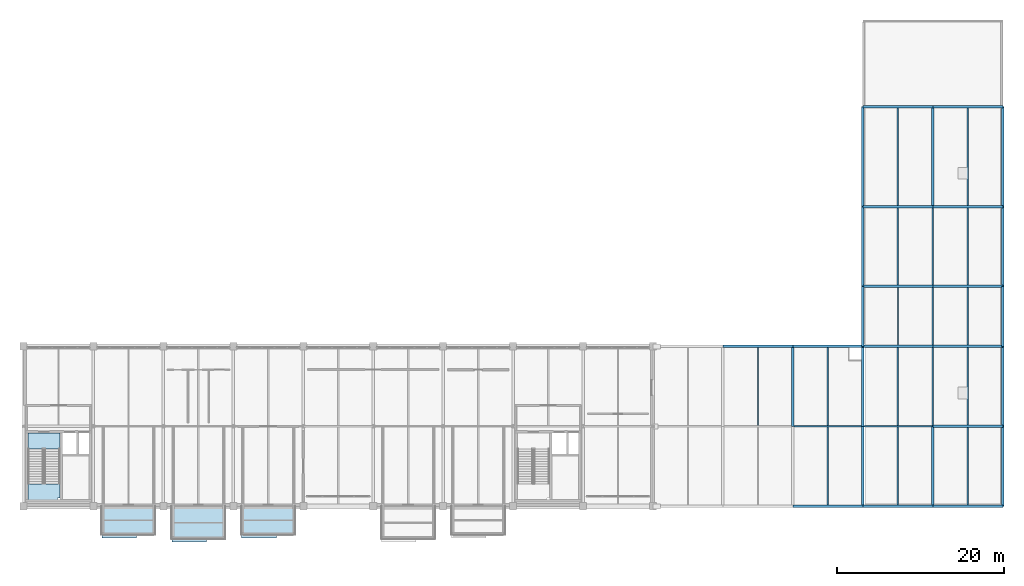
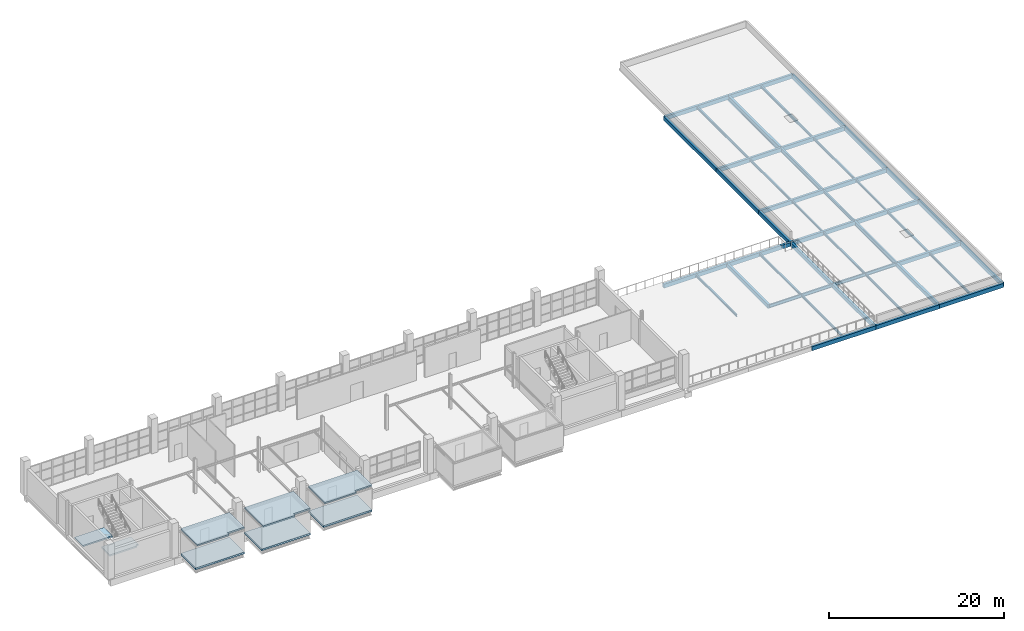
# One storey, part 20 of 29: 45 beams, 8 slabs, 1 element without a shape of its own.
"""IFC4 building model written with IfcOpenShell, lengths in metres."""

from ifc_helpers import new_model, si_unit, direction, frame, origin, origin_2d, place, context, subcontext, project, spatial, polyline, rectangle, i_section, outline, extrude, material, layer, layer_set, material_profile, profile_set, type_object, element, aggregate, save


model = new_model("IFC4")

# Units and contexts
model_context = context("Model", 3, precision=1e-05, world=origin(), true_north=direction((0.0, 1.0)))
body_context = subcontext(model_context, "Body", "Model", "MODEL_VIEW")
ifc_project = project(units=[si_unit("LENGTHUNIT", "METRE"), si_unit("AREAUNIT", "SQUARE_METRE"), si_unit("VOLUMEUNIT", "CUBIC_METRE"), si_unit("PLANEANGLEUNIT", "RADIAN"), si_unit("MASSUNIT", "GRAM", prefix="KILO")], contexts=[model_context])

# Site, building, storey
site_placement = place(None, origin())
site = spatial("IfcSite", under=ifc_project, at=site_placement, CompositionType="ELEMENT")
building_placement = place(site_placement, origin())
building = spatial("IfcBuilding", under=site, at=building_placement, Name="Veltarok Museum of Natural Sciences", CompositionType="ELEMENT")
storey_placement = place(building_placement, frame((0.0, 0.0, 26.39990234375)))
storey = spatial("IfcBuildingStorey", under=building, at=storey_placement, Name="L05", CompositionType="ELEMENT", Elevation=26.39990234375)

# Beams
ifc_material_1 = material(Name="Precast concrete C40/50", Category="concrete")
ifc_material_profile_1 = material_profile(ifc_material_1, rectangle(XDim=0.300048828125, YDim=0.550048828125, at=origin_2d()), Name="RC 300x550")
ifc_profile_set_1 = profile_set([ifc_material_profile_1], Name="Precast concrete C40/50")
beam_type_1 = type_object("IfcBeamType", Name="East Wing Precast Spandrel RC 300x550", PredefinedType="SPANDREL", material=ifc_profile_set_1)
beam_1_placement = place(storey_placement, frame((124.0, 0.0, -0.534912109375), z_axis=(1.0, 0.0, 0.0), x_axis=(0.0, 1.0, 0.0)))
element("IfcBeam", 1, at=beam_1_placement, inside=storey, type_object=beam_type_1, Name="Beam BM-SP02 L05 15-16/A", PredefinedType="SPANDREL", context=body_context, shape_type="SweptSolid", body=[
    extrude(rectangle(XDim=0.300048828125, YDim=0.550048828125, at=origin_2d()), origin(), (0.0, 0.0, 1.0), 8.39990234375),
])
beam_2_placement = place(storey_placement, frame((132.39990234375, 0.0, -0.534912109375), z_axis=(1.0, 0.0, 0.0), x_axis=(0.0, 1.0, 0.0)))
element("IfcBeam", 2, at=beam_2_placement, inside=storey, type_object=beam_type_1, Name="Beam BM-SP02 L05 16-17/A", PredefinedType="SPANDREL", context=body_context, shape_type="SweptSolid", body=[
    extrude(rectangle(XDim=0.300048828125, YDim=0.550048828125, at=origin_2d()), origin(), (0.0, 0.0, 1.0), 8.400146484375),
])
for number, where, z_axis, x_axis, name in (
    (3, (140.800048828125, 0.0, -0.52490234375), (1.0, 0.0, 0.0), (0.0, 1.0, 0.0), "Beam BM-SP02 L05 17-18/A"),
    (4, (140.800048828125, 9.60009765625, -0.52490234375), (1.0, 0.0, 0.0), (0.0, 1.0, 0.0), "Beam BM-SP02 L05 17-18/B"),
    (5, (115.60009765625, 19.199951171875, -0.534912109375), (1.0, 0.0, 0.0), (0.0, 1.0, 0.0), "Beam BM-SP02 L05 14-15/C"),
    (6, (124.0, 19.199951171875, -0.534912109375), (1.0, 0.0, 0.0), (0.0, 1.0, 0.0), "Beam BM-SP02 L05 15-16/C"),
):
    element("IfcBeam", number, at=place(storey_placement, frame(where, z_axis=z_axis, x_axis=x_axis)), inside=storey, type_object=beam_type_1, Name=name, PredefinedType="SPANDREL", context=body_context, shape_type="SweptSolid", body=[
        extrude(rectangle(XDim=0.300048828125, YDim=0.550048828125, at=origin_2d()), origin(), (0.0, 0.0, 1.0), 8.39990234375),
    ])
beam_3_placement = place(storey_placement, frame((132.39990234375, 19.199951171875, -0.534912109375), z_axis=(1.0, 0.0, 0.0), x_axis=(0.0, 1.0, 0.0)))
element("IfcBeam", 7, at=beam_3_placement, inside=storey, type_object=beam_type_1, Name="Beam BM-SP02 L05 16-17/C", PredefinedType="SPANDREL", context=body_context, shape_type="SweptSolid", body=[
    extrude(rectangle(XDim=0.300048828125, YDim=0.550048828125, at=origin_2d()), origin(), (0.0, 0.0, 1.0), 8.400146484375),
])
beam_4_placement = place(storey_placement, frame((140.800048828125, 19.199951171875, -0.52490234375), z_axis=(1.0, 0.0, 0.0), x_axis=(0.0, 1.0, 0.0)))
element("IfcBeam", 8, at=beam_4_placement, inside=storey, type_object=beam_type_1, Name="Beam BM-SP02 L05 17-18/C", PredefinedType="SPANDREL", context=body_context, shape_type="SweptSolid", body=[
    extrude(rectangle(XDim=0.300048828125, YDim=0.550048828125, at=origin_2d()), origin(), (0.0, 0.0, 1.0), 8.39990234375),
])
beam_5_placement = place(storey_placement, frame((132.39990234375, 26.39990234375, -0.52490234375), z_axis=(1.0, 0.0, 0.0), x_axis=(0.0, 1.0, 0.0)))
element("IfcBeam", 9, at=beam_5_placement, inside=storey, type_object=beam_type_1, Name="Beam BM-SP02 L05 16-17/D", PredefinedType="SPANDREL", context=body_context, shape_type="SweptSolid", body=[
    extrude(rectangle(XDim=0.300048828125, YDim=0.550048828125, at=origin_2d()), origin(), (0.0, 0.0, 1.0), 8.400146484375),
])
beam_6_placement = place(storey_placement, frame((140.800048828125, 26.39990234375, -0.52490234375), z_axis=(1.0, 0.0, 0.0), x_axis=(0.0, 1.0, 0.0)))
element("IfcBeam", 10, at=beam_6_placement, inside=storey, type_object=beam_type_1, Name="Beam BM-SP02 L05 17-18/D", PredefinedType="SPANDREL", context=body_context, shape_type="SweptSolid", body=[
    extrude(rectangle(XDim=0.300048828125, YDim=0.550048828125, at=origin_2d()), origin(), (0.0, 0.0, 1.0), 8.39990234375),
])
beam_7_placement = place(storey_placement, frame((132.39990234375, 36.0, -0.52490234375), z_axis=(1.0, 0.0, 0.0), x_axis=(0.0, 1.0, 0.0)))
element("IfcBeam", 11, at=beam_7_placement, inside=storey, type_object=beam_type_1, Name="Beam BM-SP02 L05 16-17/E", PredefinedType="SPANDREL", context=body_context, shape_type="SweptSolid", body=[
    extrude(rectangle(XDim=0.300048828125, YDim=0.550048828125, at=origin_2d()), origin(), (0.0, 0.0, 1.0), 8.400146484375),
])
beam_8_placement = place(storey_placement, frame((140.800048828125, 36.0, -0.52490234375), z_axis=(1.0, 0.0, 0.0), x_axis=(0.0, 1.0, 0.0)))
element("IfcBeam", 12, at=beam_8_placement, inside=storey, type_object=beam_type_1, Name="Beam BM-SP02 L05 17-18/E", PredefinedType="SPANDREL", context=body_context, shape_type="SweptSolid", body=[
    extrude(rectangle(XDim=0.300048828125, YDim=0.550048828125, at=origin_2d()), origin(), (0.0, 0.0, 1.0), 8.39990234375),
])
beam_9_placement = place(storey_placement, frame((132.39990234375, 48.0, -0.52490234375), z_axis=(1.0, 0.0, 0.0), x_axis=(0.0, 1.0, 0.0)))
element("IfcBeam", 13, at=beam_9_placement, inside=storey, type_object=beam_type_1, Name="Beam BM-SP02 L05 16-17/F", PredefinedType="SPANDREL", context=body_context, shape_type="SweptSolid", body=[
    extrude(rectangle(XDim=0.300048828125, YDim=0.550048828125, at=origin_2d()), origin(), (0.0, 0.0, 1.0), 8.400146484375),
])
beam_10_placement = place(storey_placement, frame((140.800048828125, 48.0, -0.52490234375), z_axis=(1.0, 0.0, 0.0), x_axis=(0.0, 1.0, 0.0)))
element("IfcBeam", 14, at=beam_10_placement, inside=storey, type_object=beam_type_1, Name="Beam BM-SP02 L05 17-18/F", PredefinedType="SPANDREL", context=body_context, shape_type="SweptSolid", body=[
    extrude(rectangle(XDim=0.300048828125, YDim=0.550048828125, at=origin_2d()), origin(), (0.0, 0.0, 1.0), 8.39990234375),
])
beam_11_placement = place(storey_placement, frame((124.0, 9.60009765625, -0.534912109375), z_axis=(0.0, 1.0, 0.0), x_axis=(-1.0, 0.0, 0.0)))
element("IfcBeam", 15, at=beam_11_placement, inside=storey, type_object=beam_type_1, Name="Beam BM-SP02 L05 15/B-C", PredefinedType="SPANDREL", context=body_context, shape_type="SweptSolid", body=[
    extrude(rectangle(XDim=0.300048828125, YDim=0.550048828125, at=origin_2d()), origin(), (0.0, 0.0, 1.0), 9.599853515625),
])
beam_12_placement = place(storey_placement, frame((132.39990234375, 0.0, -0.534912109375), z_axis=(0.0, 1.0, 0.0), x_axis=(-1.0, 0.0, 0.0)))
element("IfcBeam", 16, at=beam_12_placement, inside=storey, type_object=beam_type_1, Name="Beam BM-SP02 L05 16/A-B", PredefinedType="SPANDREL", context=body_context, shape_type="SweptSolid", body=[
    extrude(rectangle(XDim=0.300048828125, YDim=0.550048828125, at=origin_2d()), origin(), (0.0, 0.0, 1.0), 9.60009765625),
])
beam_13_placement = place(storey_placement, frame((132.39990234375, 9.60009765625, -0.534912109375), z_axis=(0.0, 1.0, 0.0), x_axis=(-1.0, 0.0, 0.0)))
element("IfcBeam", 17, at=beam_13_placement, inside=storey, type_object=beam_type_1, Name="Beam BM-SP02 L05 16/B-C", PredefinedType="SPANDREL", context=body_context, shape_type="SweptSolid", body=[
    extrude(rectangle(XDim=0.300048828125, YDim=0.550048828125, at=origin_2d()), origin(), (0.0, 0.0, 1.0), 9.599853515625),
])
beam_14_placement = place(storey_placement, frame((132.39990234375, 19.199951171875, -0.534912109375), z_axis=(0.0, 1.0, 0.0), x_axis=(-1.0, 0.0, 0.0)))
element("IfcBeam", 18, at=beam_14_placement, inside=storey, type_object=beam_type_1, Name="Beam BM-SP02 L05 16/C-D", PredefinedType="SPANDREL", context=body_context, shape_type="SweptSolid", body=[
    extrude(rectangle(XDim=0.300048828125, YDim=0.550048828125, at=origin_2d()), origin(), (0.0, 0.0, 1.0), 7.199951171875),
])
beam_15_placement = place(storey_placement, frame((132.39990234375, 26.39990234375, -0.52490234375), z_axis=(0.0, 1.0, 0.0), x_axis=(-1.0, 0.0, 0.0)))
element("IfcBeam", 19, at=beam_15_placement, inside=storey, type_object=beam_type_1, Name="Beam BM-SP02 L05 16/D-E", PredefinedType="SPANDREL", context=body_context, shape_type="SweptSolid", body=[
    extrude(rectangle(XDim=0.300048828125, YDim=0.550048828125, at=origin_2d()), origin(), (0.0, 0.0, 1.0), 9.60009765625),
])
beam_16_placement = place(storey_placement, frame((132.39990234375, 36.0, -0.52490234375), z_axis=(0.0, 1.0, 0.0), x_axis=(-1.0, 0.0, 0.0)))
element("IfcBeam", 20, at=beam_16_placement, inside=storey, type_object=beam_type_1, Name="Beam BM-SP02 L05 16/E-F", PredefinedType="SPANDREL", context=body_context, shape_type="SweptSolid", body=[
    extrude(rectangle(XDim=0.300048828125, YDim=0.550048828125, at=origin_2d()), origin(), (0.0, 0.0, 1.0), 12.0),
])
for number, where, z_axis, x_axis, name in (
    (21, (140.800048828125, 0.0, -0.52490234375), (0.0, 1.0, 0.0), (-1.0, 0.0, 0.0), "Beam BM-SP02 L05 17/A-B"),
    (22, (149.199951171875, 0.0, -0.52490234375), (0.0, 1.0, 0.0), (-1.0, 0.0, 0.0), "Beam BM-SP02 L05 18/A-B"),
):
    element("IfcBeam", number, at=place(storey_placement, frame(where, z_axis=z_axis, x_axis=x_axis)), inside=storey, type_object=beam_type_1, Name=name, PredefinedType="SPANDREL", context=body_context, shape_type="SweptSolid", body=[
        extrude(rectangle(XDim=0.300048828125, YDim=0.550048828125, at=origin_2d()), origin(), (0.0, 0.0, 1.0), 9.60009765625),
    ])
beam_17_placement = place(storey_placement, frame((149.199951171875, 9.60009765625, -0.52490234375), z_axis=(0.0, 1.0, 0.0), x_axis=(-1.0, 0.0, 0.0)))
element("IfcBeam", 23, at=beam_17_placement, inside=storey, type_object=beam_type_1, Name="Beam BM-SP02 L05 18/B-C", PredefinedType="SPANDREL", context=body_context, shape_type="SweptSolid", body=[
    extrude(rectangle(XDim=0.300048828125, YDim=0.550048828125, at=origin_2d()), origin(), (0.0, 0.0, 1.0), 9.599853515625),
])
beam_18_placement = place(storey_placement, frame((149.199951171875, 19.199951171875, -0.52490234375), z_axis=(0.0, 1.0, 0.0), x_axis=(-1.0, 0.0, 0.0)))
element("IfcBeam", 24, at=beam_18_placement, inside=storey, type_object=beam_type_1, Name="Beam BM-SP02 L05 18/C-D", PredefinedType="SPANDREL", context=body_context, shape_type="SweptSolid", body=[
    extrude(rectangle(XDim=0.300048828125, YDim=0.550048828125, at=origin_2d()), origin(), (0.0, 0.0, 1.0), 7.199951171875),
])
beam_19_placement = place(storey_placement, frame((149.199951171875, 26.39990234375, -0.52490234375), z_axis=(0.0, 1.0, 0.0), x_axis=(-1.0, 0.0, 0.0)))
element("IfcBeam", 25, at=beam_19_placement, inside=storey, type_object=beam_type_1, Name="Beam BM-SP02 L05 18/D-E", PredefinedType="SPANDREL", context=body_context, shape_type="SweptSolid", body=[
    extrude(rectangle(XDim=0.300048828125, YDim=0.550048828125, at=origin_2d()), origin(), (0.0, 0.0, 1.0), 9.60009765625),
])
beam_20_placement = place(storey_placement, frame((149.199951171875, 36.0, -0.52490234375), z_axis=(0.0, 1.0, 0.0), x_axis=(-1.0, 0.0, 0.0)))
element("IfcBeam", 26, at=beam_20_placement, inside=storey, type_object=beam_type_1, Name="Beam BM-SP02 L05 18/E-F", PredefinedType="SPANDREL", context=body_context, shape_type="SweptSolid", body=[
    extrude(rectangle(XDim=0.300048828125, YDim=0.550048828125, at=origin_2d()), origin(), (0.0, 0.0, 1.0), 12.0),
])
ifc_material_2 = material(Name="Steel S355J2", Category="steel")
ifc_material_profile_2 = material_profile(ifc_material_2, i_section(OverallWidth=0.18994140625, OverallDepth=0.449951171875, WebThickness=0.009521484375, FlangeThickness=0.0146484375, FilletRadius=0.02099609375, at=origin_2d()), Name="IPE 450")
ifc_profile_set_2 = profile_set([ifc_material_profile_2], Name="Steel S355J2")
beam_type_2 = type_object("IfcBeamType", Name="Laboratory Floor Girder IPE 450", PredefinedType="BEAM", material=ifc_profile_set_2)
beam_21_placement = place(storey_placement, frame((124.0, 9.60009765625, -0.48486328125), z_axis=(1.0, 0.0, 0.0), x_axis=(0.0, 1.0, 0.0)))
element("IfcBeam", 27, at=beam_21_placement, inside=storey, type_object=beam_type_2, Name="Beam BM-G05 L05 15-16/B", PredefinedType="BEAM", context=body_context, shape_type="SweptSolid", body=[
    extrude(i_section(OverallWidth=0.18994140625, OverallDepth=0.449951171875, WebThickness=0.009521484375, FlangeThickness=0.0146484375, FilletRadius=0.02099609375, at=origin_2d()), origin(), (0.0, 0.0, 1.0), 8.39990234375),
])
beam_22_placement = place(storey_placement, frame((132.39990234375, 9.60009765625, -0.48486328125), z_axis=(1.0, 0.0, 0.0), x_axis=(0.0, 1.0, 0.0)))
element("IfcBeam", 28, at=beam_22_placement, inside=storey, type_object=beam_type_2, Name="Beam BM-G05 L05 16-17/B", PredefinedType="BEAM", context=body_context, shape_type="SweptSolid", body=[
    extrude(i_section(OverallWidth=0.18994140625, OverallDepth=0.449951171875, WebThickness=0.009521484375, FlangeThickness=0.0146484375, FilletRadius=0.02099609375, at=origin_2d()), origin(), (0.0, 0.0, 1.0), 8.400146484375),
])
beam_23_placement = place(storey_placement, frame((140.800048828125, 19.199951171875, -0.474853515625), z_axis=(0.0, 1.0, 0.0), x_axis=(-1.0, 0.0, 0.0)))
element("IfcBeam", 29, at=beam_23_placement, inside=storey, type_object=beam_type_2, Name="Beam BM-G05 L05 17/C-D", PredefinedType="BEAM", context=body_context, shape_type="SweptSolid", body=[
    extrude(i_section(OverallWidth=0.18994140625, OverallDepth=0.449951171875, WebThickness=0.009521484375, FlangeThickness=0.0146484375, FilletRadius=0.02099609375, at=origin_2d()), origin(), (0.0, 0.0, 1.0), 7.199951171875),
])
ifc_material_profile_3 = material_profile(ifc_material_2, i_section(OverallWidth=0.169921875, OverallDepth=0.360107421875, WebThickness=0.008056640625, FlangeThickness=0.0126953125, FilletRadius=0.01806640625, at=origin_2d()), Name="IPE 360")
ifc_profile_set_3 = profile_set([ifc_material_profile_3], Name="Steel S355J2")
beam_type_3 = type_object("IfcBeamType", Name="Long-Bay Composite Joist IPE 360", PredefinedType="JOIST", material=ifc_profile_set_3)
for number, where, z_axis, x_axis, name in (
    (30, (136.60009765625, 36.14794921875, -0.429931640625), (0.0, 1.0, 0.0), (-1.0, 0.0, 0.0), "Secondary Joist BM-J01 L05 16-17/E-F.1"),
    (31, (145.0, 36.14794921875, -0.429931640625), (0.0, 1.0, 0.0), (-1.0, 0.0, 0.0), "Secondary Joist BM-J01 L05 17-18/E-F.1"),
):
    element("IfcBeam", number, at=place(storey_placement, frame(where, z_axis=z_axis, x_axis=x_axis)), inside=storey, type_object=beam_type_3, Name=name, PredefinedType="JOIST", context=body_context, shape_type="SweptSolid", body=[
        extrude(i_section(OverallWidth=0.169921875, OverallDepth=0.360107421875, WebThickness=0.008056640625, FlangeThickness=0.0126953125, FilletRadius=0.01806640625, at=origin_2d()), origin(), (0.0, 0.0, 1.0), 11.7041015625),
    ])
ifc_material_profile_4 = material_profile(ifc_material_2, i_section(OverallWidth=0.300048828125, OverallDepth=0.699951171875, WebThickness=0.01708984375, FlangeThickness=0.031982421875, FilletRadius=0.027099609375, at=origin_2d()), Name="HEB 700")
ifc_profile_set_4 = profile_set([ifc_material_profile_4], Name="Steel S355J2")
beam_type_4 = type_object("IfcBeamType", Name="Long-Span Hall Girder HEB 700", PredefinedType="BEAM", material=ifc_profile_set_4)
beam_24_placement = place(storey_placement, frame((140.800048828125, 36.0, -0.599853515625), z_axis=(0.0, 1.0, 0.0), x_axis=(-1.0, 0.0, 0.0)))
element("IfcBeam", 32, at=beam_24_placement, inside=storey, type_object=beam_type_4, Name="Beam BM-G01 L05 17/E-F", PredefinedType="BEAM", context=body_context, shape_type="SweptSolid", body=[
    extrude(i_section(OverallWidth=0.300048828125, OverallDepth=0.699951171875, WebThickness=0.01708984375, FlangeThickness=0.031982421875, FilletRadius=0.027099609375, at=origin_2d()), origin(), (0.0, 0.0, 1.0), 12.0),
])
ifc_material_profile_5 = material_profile(ifc_material_2, i_section(OverallWidth=0.159912109375, OverallDepth=0.330078125, WebThickness=0.007568359375, FlangeThickness=0.011474609375, FilletRadius=0.01806640625, at=origin_2d()), Name="IPE 330")
ifc_profile_set_5 = profile_set([ifc_material_profile_5], Name="Steel S355J2")
beam_type_5 = type_object("IfcBeamType", Name="Medium-Bay Composite Joist IPE 330", PredefinedType="JOIST", material=ifc_profile_set_5)
beam_25_placement = place(storey_placement, frame((119.800048828125, 9.693115234375, -0.4248046875), z_axis=(0.0, 1.0, 0.0), x_axis=(-1.0, 0.0, 0.0)))
element("IfcBeam", 33, at=beam_25_placement, inside=storey, type_object=beam_type_5, Name="Secondary Joist BM-J02 L05 14-15/B-C.1", PredefinedType="JOIST", context=body_context, shape_type="SweptSolid", body=[
    extrude(i_section(OverallWidth=0.159912109375, OverallDepth=0.330078125, WebThickness=0.007568359375, FlangeThickness=0.011474609375, FilletRadius=0.01806640625, at=origin_2d()), origin(), (0.0, 0.0, 1.0), 9.35888671875),
])
beam_26_placement = place(storey_placement, frame((128.199951171875, 0.14794921875, -0.4248046875), z_axis=(0.0, 1.0, 0.0), x_axis=(-1.0, 0.0, 0.0)))
element("IfcBeam", 34, at=beam_26_placement, inside=storey, type_object=beam_type_5, Name="Secondary Joist BM-J02 L05 15-16/A-B.1", PredefinedType="JOIST", context=body_context, shape_type="SweptSolid", body=[
    extrude(i_section(OverallWidth=0.159912109375, OverallDepth=0.330078125, WebThickness=0.007568359375, FlangeThickness=0.011474609375, FilletRadius=0.01806640625, at=origin_2d()), origin(), (0.0, 0.0, 1.0), 9.359130859375),
])
beam_27_placement = place(storey_placement, frame((128.199951171875, 9.693115234375, -0.4248046875), z_axis=(0.0, 1.0, 0.0), x_axis=(-1.0, 0.0, 0.0)))
element("IfcBeam", 35, at=beam_27_placement, inside=storey, type_object=beam_type_5, Name="Secondary Joist BM-J02 L05 15-16/B-C.1", PredefinedType="JOIST", context=body_context, shape_type="SweptSolid", body=[
    extrude(i_section(OverallWidth=0.159912109375, OverallDepth=0.330078125, WebThickness=0.007568359375, FlangeThickness=0.011474609375, FilletRadius=0.01806640625, at=origin_2d()), origin(), (0.0, 0.0, 1.0), 9.35888671875),
])
beam_28_placement = place(storey_placement, frame((136.60009765625, 0.14794921875, -0.414794921875), z_axis=(0.0, 1.0, 0.0), x_axis=(-1.0, 0.0, 0.0)))
element("IfcBeam", 36, at=beam_28_placement, inside=storey, type_object=beam_type_5, Name="Secondary Joist BM-J02 L05 16-17/A-B.1", PredefinedType="JOIST", context=body_context, shape_type="SweptSolid", body=[
    extrude(i_section(OverallWidth=0.159912109375, OverallDepth=0.330078125, WebThickness=0.007568359375, FlangeThickness=0.011474609375, FilletRadius=0.01806640625, at=origin_2d()), origin(), (0.0, 0.0, 1.0), 9.359130859375),
])
beam_29_placement = place(storey_placement, frame((136.60009765625, 9.693115234375, -0.414794921875), z_axis=(0.0, 1.0, 0.0), x_axis=(-1.0, 0.0, 0.0)))
element("IfcBeam", 37, at=beam_29_placement, inside=storey, type_object=beam_type_5, Name="Secondary Joist BM-J02 L05 16-17/B-C.1", PredefinedType="JOIST", context=body_context, shape_type="SweptSolid", body=[
    extrude(i_section(OverallWidth=0.159912109375, OverallDepth=0.330078125, WebThickness=0.007568359375, FlangeThickness=0.011474609375, FilletRadius=0.01806640625, at=origin_2d()), origin(), (0.0, 0.0, 1.0), 9.35888671875),
])
for number, where, z_axis, x_axis, name in (
    (38, (136.60009765625, 26.548095703125, -0.414794921875), (0.0, 1.0, 0.0), (-1.0, 0.0, 0.0), "Secondary Joist BM-J02 L05 16-17/D-E.1"),
    (39, (145.0, 0.14794921875, -0.414794921875), (0.0, 1.0, 0.0), (-1.0, 0.0, 0.0), "Secondary Joist BM-J02 L05 17-18/A-B.1"),
    (40, (145.0, 9.748046875, -0.414794921875), (0.0, 1.0, 0.0), (-1.0, 0.0, 0.0), "Secondary Joist BM-J02 L05 17-18/B-C.1"),
    (41, (145.0, 26.548095703125, -0.414794921875), (0.0, 1.0, 0.0), (-1.0, 0.0, 0.0), "Secondary Joist BM-J02 L05 17-18/D-E.1"),
):
    element("IfcBeam", number, at=place(storey_placement, frame(where, z_axis=z_axis, x_axis=x_axis)), inside=storey, type_object=beam_type_5, Name=name, PredefinedType="JOIST", context=body_context, shape_type="SweptSolid", body=[
        extrude(i_section(OverallWidth=0.159912109375, OverallDepth=0.330078125, WebThickness=0.007568359375, FlangeThickness=0.011474609375, FilletRadius=0.01806640625, at=origin_2d()), origin(), (0.0, 0.0, 1.0), 9.303955078125),
    ])
ifc_material_profile_6 = material_profile(ifc_material_2, i_section(OverallWidth=0.219970703125, OverallDepth=0.60009765625, WebThickness=0.011962890625, FlangeThickness=0.01904296875, FilletRadius=0.02392578125, at=origin_2d()), Name="IPE 600")
ifc_profile_set_6 = profile_set([ifc_material_profile_6], Name="Steel S355J2")
beam_type_6 = type_object("IfcBeamType", Name="Primary Museum Girder IPE 600", PredefinedType="BEAM", material=ifc_profile_set_6)
beam_30_placement = place(storey_placement, frame((140.800048828125, 9.60009765625, -0.5498046875), z_axis=(0.0, 1.0, 0.0), x_axis=(-1.0, 0.0, 0.0)))
element("IfcBeam", 42, at=beam_30_placement, inside=storey, type_object=beam_type_6, Name="Beam BM-G02 L05 17/B-C", PredefinedType="BEAM", context=body_context, shape_type="SweptSolid", body=[
    extrude(i_section(OverallWidth=0.219970703125, OverallDepth=0.60009765625, WebThickness=0.011962890625, FlangeThickness=0.01904296875, FilletRadius=0.02392578125, at=origin_2d()), origin(), (0.0, 0.0, 1.0), 9.599853515625),
])
beam_31_placement = place(storey_placement, frame((140.800048828125, 26.39990234375, -0.5498046875), z_axis=(0.0, 1.0, 0.0), x_axis=(-1.0, 0.0, 0.0)))
element("IfcBeam", 43, at=beam_31_placement, inside=storey, type_object=beam_type_6, Name="Beam BM-G02 L05 17/D-E", PredefinedType="BEAM", context=body_context, shape_type="SweptSolid", body=[
    extrude(i_section(OverallWidth=0.219970703125, OverallDepth=0.60009765625, WebThickness=0.011962890625, FlangeThickness=0.01904296875, FilletRadius=0.02392578125, at=origin_2d()), origin(), (0.0, 0.0, 1.0), 9.60009765625),
])
ifc_material_profile_7 = material_profile(ifc_material_2, i_section(OverallWidth=0.135009765625, OverallDepth=0.27001953125, WebThickness=0.006591796875, FlangeThickness=0.01025390625, FilletRadius=0.014892578125, at=origin_2d()), Name="IPE 270")
ifc_profile_set_7 = profile_set([ifc_material_profile_7], Name="Steel S355J2")
beam_type_7 = type_object("IfcBeamType", Name="Short-Bay Composite Joist IPE 270", PredefinedType="JOIST", material=ifc_profile_set_7)
for number, where, z_axis, x_axis, name in (
    (44, (136.60009765625, 19.347900390625, -0.385009765625), (0.0, 1.0, 0.0), (-1.0, 0.0, 0.0), "Secondary Joist BM-J04 L05 16-17/C-D.1"),
    (45, (145.0, 19.347900390625, -0.385009765625), (0.0, 1.0, 0.0), (-1.0, 0.0, 0.0), "Secondary Joist BM-J04 L05 17-18/C-D.1"),
):
    element("IfcBeam", number, at=place(storey_placement, frame(where, z_axis=z_axis, x_axis=x_axis)), inside=storey, type_object=beam_type_7, Name=name, PredefinedType="JOIST", context=body_context, shape_type="SweptSolid", body=[
        extrude(i_section(OverallWidth=0.135009765625, OverallDepth=0.27001953125, WebThickness=0.006591796875, FlangeThickness=0.01025390625, FilletRadius=0.014892578125, at=origin_2d()), origin(), (0.0, 0.0, 1.0), 6.904052734375),
    ])

# Slabs
ifc_material_3 = material(Name="Concrete C35/45", Category="concrete")
ifc_layer_1 = layer(ifc_material_3, 0.199951171875)
ifc_layer_set_1 = layer_set([ifc_layer_1], Name="Concrete C35/45")
slab_type_1 = type_object("IfcSlabType", Name="Cantilevered Cabinet Box Roof Slab 200", PredefinedType="ROOF", material=ifc_layer_set_1)
slab_1_placement = place(storey_placement, frame((0.0, 0.0, 3.25)))
element("IfcSlab", 46, at=slab_1_placement, inside=storey, type_object=slab_type_1, Name="Cabinet Box Roof Slab DB-25", PredefinedType="ROOF", context=body_context, shape_type="SweptSolid", body=[
    extrude(outline(polyline([(41.0, -3.780029296875), (45.159912109375, -3.780029296875), (45.159912109375, -3.39990234375), (47.39990234375, -3.39990234375), (47.39990234375, 0.0), (41.0, 0.0), (41.0, -3.780029296875)])), origin(), (0.0, 0.0, 1.0), 0.2001953125),
])
slab_2_placement = place(storey_placement, frame((0.0, 0.0, 3.25)))
element("IfcSlab", 47, at=slab_2_placement, inside=storey, type_object=slab_type_1, Name="Cabinet Box Roof Slab DB-26", PredefinedType="ROOF", context=body_context, shape_type="SweptSolid", body=[
    extrude(outline(polyline([(49.39990234375, -4.280029296875), (53.56005859375, -4.280029296875), (53.56005859375, -3.89990234375), (55.800048828125, -3.89990234375), (55.800048828125, 0.0), (49.39990234375, 0.0), (49.39990234375, -4.280029296875)])), origin(), (0.0, 0.0, 1.0), 0.2001953125),
])
slab_3_placement = place(storey_placement, frame((0.0, 0.0, 3.25)))
element("IfcSlab", 48, at=slab_3_placement, inside=storey, type_object=slab_type_1, Name="Cabinet Box Roof Slab DB-27", PredefinedType="ROOF", context=body_context, shape_type="SweptSolid", body=[
    extrude(outline(polyline([(57.800048828125, -3.780029296875), (61.9599609375, -3.780029296875), (61.9599609375, -3.39990234375), (64.199951171875, -3.39990234375), (64.199951171875, 0.0), (57.800048828125, 0.0), (57.800048828125, -3.780029296875)])), origin(), (0.0, 0.0, 1.0), 0.2001953125),
])
ifc_layer_2 = layer(ifc_material_3, 0.199951171875)
ifc_layer_set_2 = layer_set([ifc_layer_2], Name="Concrete C35/45")
slab_type_2 = type_object("IfcSlabType", Name="Protected Stair Intermediate Landing Slab 200", PredefinedType="LANDING", material=ifc_layer_set_2)
slab_4_placement = place(storey_placement, frame((0.0, 0.0, -0.199951171875)))
element("IfcSlab", 49, at=slab_4_placement, inside=storey, type_object=slab_type_2, Name="Stairwell Floor Landing ST-01 L05", PredefinedType="LANDING", context=body_context, shape_type="SweptSolid", body=[
    extrude(outline(polyline([(32.110107421875, 6.89990234375), (35.989990234375, 6.89990234375), (35.989990234375, 8.820068359375), (32.110107421875, 8.820068359375), (32.110107421875, 6.89990234375)])), origin(), (0.0, 0.0, 1.0), 0.199951171875),
])

# Stair, slab
stair_type = type_object("IfcStairType", Name="Protected Half-Turn Escape Stair H4800", PredefinedType="HALF_TURN_STAIR", material=ifc_material_1)
stair_placement = place(storey_placement, origin())
stair = element("IfcStair", 50, at=stair_placement, inside=storey, type_object=stair_type, Name="Protected Escape Stair ST-01-L05", PredefinedType="HALF_TURN_STAIR")
slab_5_placement = place(storey_placement, frame((0.0, 0.0, 2.2001953125)))
slab_5 = element("IfcSlab", 51, at=slab_5_placement, type_object=slab_type_2, Name="ST-01-L05 landing 1", PredefinedType="LANDING", context=body_context, shape_type="SweptSolid", body=[
    extrude(outline(polyline([(32.110107421875, 0.780029296875), (35.669921875, 0.780029296875), (35.669921875, 1.02001953125), (35.989990234375, 1.02001953125), (35.989990234375, 2.699951171875), (32.110107421875, 2.699951171875), (32.110107421875, 0.780029296875)])), origin(), (0.0, 0.0, 1.0), 0.199951171875),
])
aggregate(stair, [slab_5])

# Slabs
ifc_layer_3 = layer(ifc_material_3, 0.25)
ifc_layer_set_3 = layer_set([ifc_layer_3], Name="Concrete C35/45")
slab_type_3 = type_object("IfcSlabType", Name="Suspended Museum Floor Slab 250", PredefinedType="FLOOR", material=ifc_layer_set_3)
slab_6_placement = place(storey_placement, frame((0.0, 0.0, -0.25)))
element("IfcSlab", 52, at=slab_6_placement, inside=storey, type_object=slab_type_3, Name="Cabinet Box Floor Slab DB-25", PredefinedType="FLOOR", context=body_context, shape_type="SweptSolid", body=[
    extrude(outline(polyline([(41.0, -3.39990234375), (47.39990234375, -3.39990234375), (47.39990234375, 0.0), (41.0, 0.0), (41.0, -3.39990234375)])), origin(), (0.0, 0.0, 1.0), 0.25),
])
slab_7_placement = place(storey_placement, frame((0.0, 0.0, -0.25)))
element("IfcSlab", 53, at=slab_7_placement, inside=storey, type_object=slab_type_3, Name="Cabinet Box Floor Slab DB-26", PredefinedType="FLOOR", context=body_context, shape_type="SweptSolid", body=[
    extrude(outline(polyline([(49.39990234375, -3.89990234375), (55.800048828125, -3.89990234375), (55.800048828125, 0.0), (49.39990234375, 0.0), (49.39990234375, -3.89990234375)])), origin(), (0.0, 0.0, 1.0), 0.25),
])
slab_8_placement = place(storey_placement, frame((0.0, 0.0, -0.25)))
element("IfcSlab", 54, at=slab_8_placement, inside=storey, type_object=slab_type_3, Name="Cabinet Box Floor Slab DB-27", PredefinedType="FLOOR", context=body_context, shape_type="SweptSolid", body=[
    extrude(outline(polyline([(57.800048828125, -3.39990234375), (64.199951171875, -3.39990234375), (64.199951171875, 0.0), (57.800048828125, 0.0), (57.800048828125, -3.39990234375)])), origin(), (0.0, 0.0, 1.0), 0.25),
])

save(model, "model.ifc")
